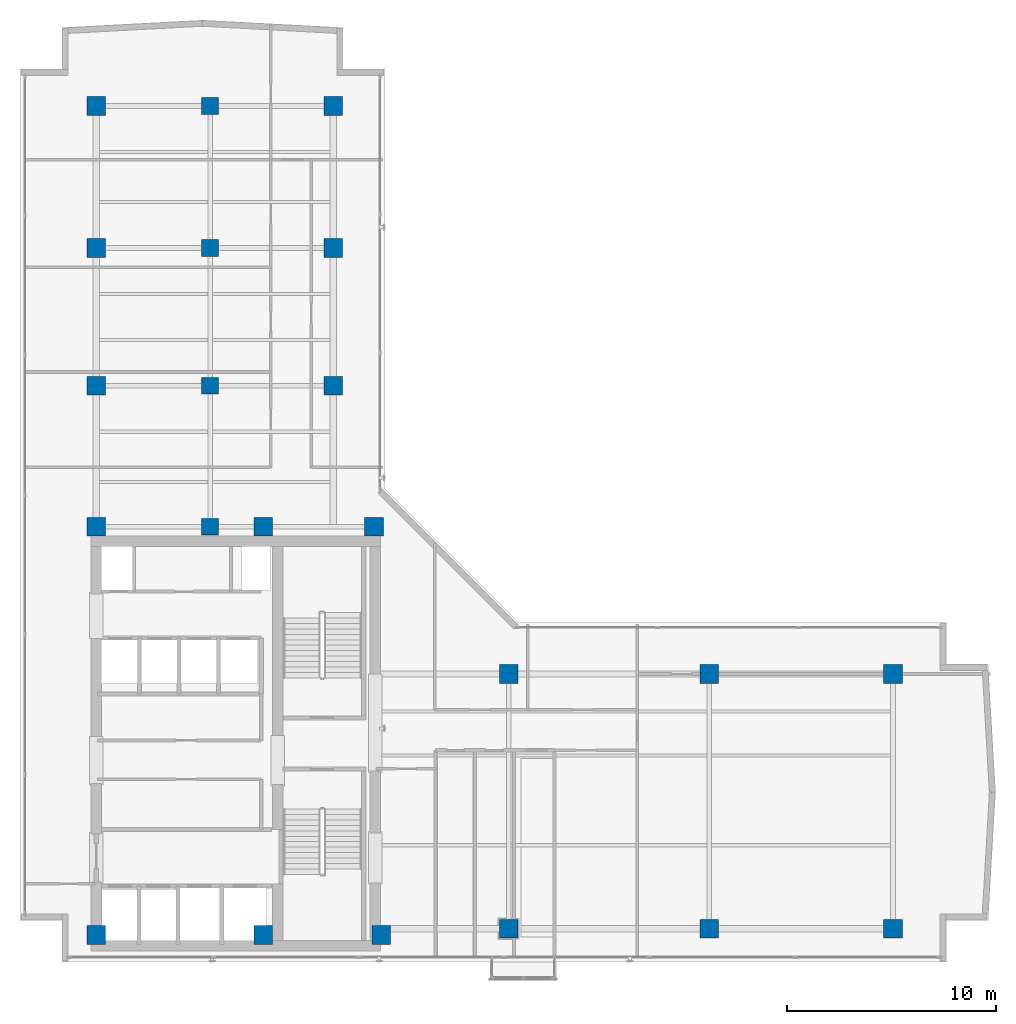
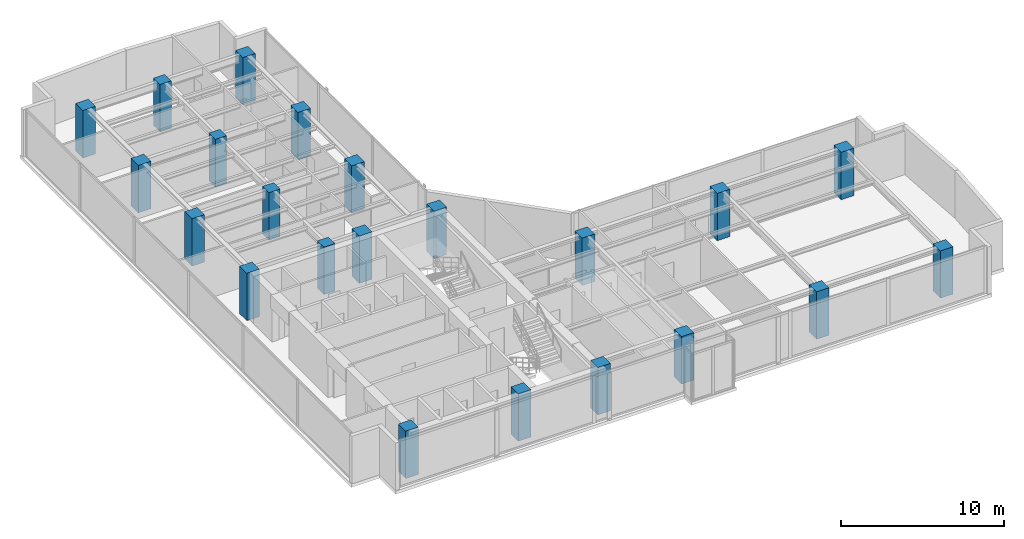
# One storey, part 1 of 22: 22 columns.
"""IFC4 building model written with IfcOpenShell, lengths in metres."""

from ifc_helpers import new_model, si_unit, direction, frame, origin, origin_2d, place, context, subcontext, project, spatial, rectangle, extrude, material, material_profile, profile_set, type_object, element, save


model = new_model("IFC4")

# Units and contexts
model_context = context("Model", 3, precision=1e-05, world=origin(), true_north=direction((0.0, 1.0)))
body_context = subcontext(model_context, "Body", "Model", "MODEL_VIEW")
ifc_project = project(units=[si_unit("LENGTHUNIT", "METRE"), si_unit("AREAUNIT", "SQUARE_METRE"), si_unit("VOLUMEUNIT", "CUBIC_METRE"), si_unit("PLANEANGLEUNIT", "RADIAN"), si_unit("MASSUNIT", "GRAM", prefix="KILO")], contexts=[model_context])

# Site, building, storey
site_placement = place(None, origin())
site = spatial("IfcSite", under=ifc_project, at=site_placement, CompositionType="ELEMENT")
building_placement = place(site_placement, origin())
building = spatial("IfcBuilding", under=site, at=building_placement, Name="Kolvaren Waterfront Exchange", CompositionType="ELEMENT")
storey_placement = place(building_placement, frame((0.0, 0.0, 308.39990234375)))
storey = spatial("IfcBuildingStorey", under=building, at=storey_placement, Name="L79", CompositionType="ELEMENT", Elevation=308.39990234375)

# Columns
ifc_material = material(Name="Concrete C50/60", Category="concrete")
ifc_material_profile_1 = material_profile(ifc_material, rectangle(XDim=0.800048828125, YDim=0.800048828125, at=origin_2d()), Name="RC-COL-800x800")
ifc_profile_set_1 = profile_set([ifc_material_profile_1], Name="Concrete C50/60")
column_type_1 = type_object("IfcColumnType", Name="STR-COL-800-C50", PredefinedType="COLUMN", material=ifc_profile_set_1)
for number, where, z_axis, x_axis, name in (
    (1, (12.89990234375, 24.449951171875, 0.0), (0.0, 0.0, 1.0), (1.0, 0.0, 0.0), "L79 column TC01"),
    (2, (12.89990234375, 31.199951171875, 0.0), (0.0, 0.0, 1.0), (1.0, 0.0, 0.0), "L79 column TC02"),
    (3, (12.89990234375, 37.800048828125, 0.0), (0.0, 0.0, 1.0), (1.0, 0.0, 0.0), "L79 column TC03"),
    (4, (12.89990234375, 44.60009765625, 0.0), (0.0, 0.0, 1.0), (1.0, 0.0, 0.0), "L79 column TC04"),
):
    element("IfcColumn", number, at=place(storey_placement, frame(where, z_axis=z_axis, x_axis=x_axis)), inside=storey, type_object=column_type_1, Name=name, PredefinedType="COLUMN", context=body_context, shape_type="SweptSolid", body=[
        extrude(rectangle(XDim=0.800048828125, YDim=0.800048828125, at=origin_2d()), origin(), (0.0, 0.0, 1.0), 3.56005859375),
    ])
ifc_material_profile_2 = material_profile(ifc_material, rectangle(XDim=0.89990234375, YDim=0.89990234375, at=origin_2d()), Name="RC-COL-900x900")
ifc_profile_set_2 = profile_set([ifc_material_profile_2], Name="Concrete C50/60")
column_type_2 = type_object("IfcColumnType", Name="STR-COL-900-C50", PredefinedType="COLUMN", material=ifc_profile_set_2)
for number, where, z_axis, x_axis, name in (
    (5, (7.449951171875, 4.89990234375, 0.0), (0.0, 0.0, 1.0), (1.0, 0.0, 0.0), "L79 column MC01"),
    (6, (15.449951171875, 4.89990234375, 0.0), (0.0, 0.0, 1.0), (1.0, 0.0, 0.0), "L79 column MC02"),
    (7, (21.10009765625, 4.89990234375, 0.0), (0.0, 0.0, 1.0), (1.0, 0.0, 0.0), "L79 column MC03"),
    (8, (7.449951171875, 24.449951171875, 0.0), (0.0, 0.0, 1.0), (1.0, 0.0, 0.0), "L79 column MC04"),
    (9, (15.449951171875, 24.449951171875, 0.0), (0.0, 0.0, 1.0), (1.0, 0.0, 0.0), "L79 column MC05"),
    (10, (20.75, 24.449951171875, 0.0), (0.0, 0.0, 1.0), (1.0, 0.0, 0.0), "L79 column MC06"),
    (11, (7.449951171875, 31.199951171875, 0.0), (0.0, 0.0, 1.0), (1.0, 0.0, 0.0), "L79 column NC01"),
    (12, (7.449951171875, 37.800048828125, 0.0), (0.0, 0.0, 1.0), (1.0, 0.0, 0.0), "L79 column NC02"),
    (13, (7.449951171875, 44.60009765625, 0.0), (0.0, 0.0, 1.0), (1.0, 0.0, 0.0), "L79 column NC03"),
    (14, (18.800048828125, 31.199951171875, 0.0), (0.0, 0.0, 1.0), (1.0, 0.0, 0.0), "L79 column NC04"),
    (15, (18.800048828125, 37.800048828125, 0.0), (0.0, 0.0, 1.0), (1.0, 0.0, 0.0), "L79 column NC05"),
    (16, (18.800048828125, 44.60009765625, 0.0), (0.0, 0.0, 1.0), (1.0, 0.0, 0.0), "L79 column NC06"),
    (17, (27.199951171875, 5.199951171875, 0.0), (0.0, 0.0, 1.0), (1.0, 0.0, 0.0), "L79 column EC01"),
    (18, (36.800048828125, 5.199951171875, 0.0), (0.0, 0.0, 1.0), (1.0, 0.0, 0.0), "L79 column EC02"),
    (19, (45.60009765625, 5.199951171875, 0.0), (0.0, 0.0, 1.0), (1.0, 0.0, 0.0), "L79 column EC03"),
    (20, (27.199951171875, 17.39990234375, 0.0), (0.0, 0.0, 1.0), (1.0, 0.0, 0.0), "L79 column EC04"),
    (21, (36.800048828125, 17.39990234375, 0.0), (0.0, 0.0, 1.0), (1.0, 0.0, 0.0), "L79 column EC05"),
    (22, (45.60009765625, 17.39990234375, 0.0), (0.0, 0.0, 1.0), (1.0, 0.0, 0.0), "L79 column EC06"),
):
    element("IfcColumn", number, at=place(storey_placement, frame(where, z_axis=z_axis, x_axis=x_axis)), inside=storey, type_object=column_type_2, Name=name, PredefinedType="COLUMN", context=body_context, shape_type="SweptSolid", body=[
        extrude(rectangle(XDim=0.89990234375, YDim=0.89990234375, at=origin_2d()), origin(), (0.0, 0.0, 1.0), 3.56005859375),
    ])

save(model, "model.ifc")
